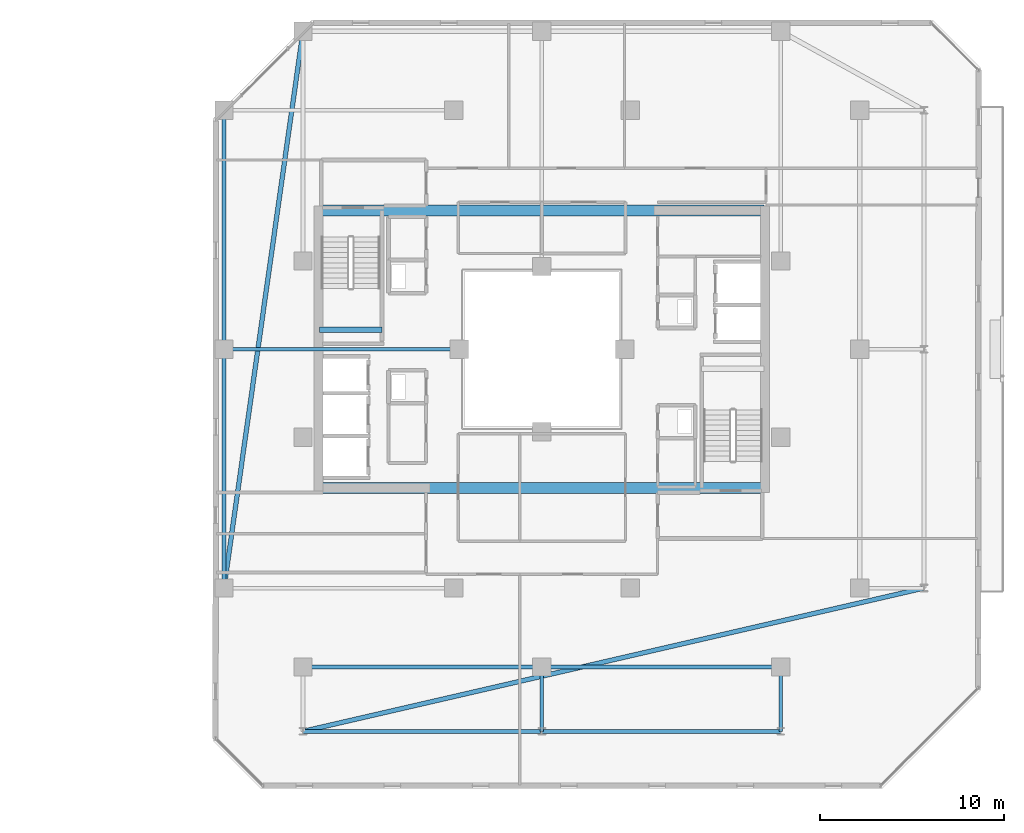
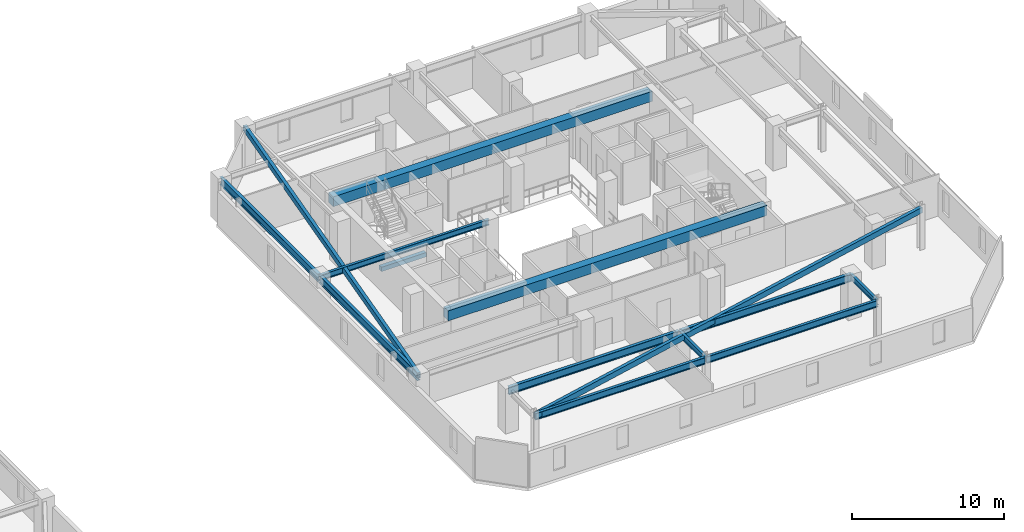
# One storey, part 11 of 32: 14 beams.
"""IFC4 building model written with IfcOpenShell, lengths in metres."""

from ifc_helpers import new_model, si_unit, direction, frame, origin, origin_2d, place, context, subcontext, project, spatial, rectangle, hollow_rectangle, i_section, extrude, material, material_profile, profile_set, type_object, element, save


model = new_model("IFC4")

# Units and contexts
model_context = context("Model", 3, precision=1e-05, world=origin(), true_north=direction((0.0, 1.0)))
body_context = subcontext(model_context, "Body", "Model", "MODEL_VIEW")
ifc_project = project(units=[si_unit("LENGTHUNIT", "METRE"), si_unit("AREAUNIT", "SQUARE_METRE"), si_unit("VOLUMEUNIT", "CUBIC_METRE"), si_unit("PLANEANGLEUNIT", "RADIAN"), si_unit("MASSUNIT", "GRAM", prefix="KILO")], contexts=[model_context])

# Site, building, storey
site_placement = place(None, origin())
site = spatial("IfcSite", under=ifc_project, at=site_placement, CompositionType="ELEMENT")
building_placement = place(site_placement, origin())
building = spatial("IfcBuilding", under=site, at=building_placement, Name="Thornwick Lancets Civic Towers", CompositionType="ELEMENT")
storey_placement = place(building_placement, frame((0.0, 0.0, 240.300048828125)))
storey = spatial("IfcBuildingStorey", under=building, at=storey_placement, Name="L64", CompositionType="ELEMENT", Elevation=240.300048828125)

# Beams
ifc_material_1 = material(Name="Concrete C60/75", Category="concrete")
ifc_material_profile_1 = material_profile(ifc_material_1, rectangle(XDim=0.60009765625, YDim=0.800048828125, at=origin_2d()), Name="RC 600x800")
ifc_profile_set_1 = profile_set([ifc_material_profile_1], Name="Concrete C60/75")
beam_type_1 = type_object("IfcBeamType", Name="BM_COUP_RC800", PredefinedType="BEAM", material=ifc_profile_set_1)
for number, where, z_axis, x_axis, name in (
    (1, (76.39990234375, 34.550048828125, 2.9599609375), (1.0, 0.0, 0.0), (0.0, 1.0, 0.0), "CB-L64-B1"),
    (2, (76.39990234375, 19.449951171875, 2.9599609375), (1.0, 0.0, 0.0), (0.0, 1.0, 0.0), "CB-L64-B2"),
):
    element("IfcBeam", number, at=place(storey_placement, frame(where, z_axis=z_axis, x_axis=x_axis)), inside=storey, type_object=beam_type_1, Name=name, PredefinedType="BEAM", context=body_context, shape_type="SweptSolid", body=[
        extrude(rectangle(XDim=0.60009765625, YDim=0.800048828125, at=origin_2d()), origin(), (0.0, 0.0, 1.0), 24.2001953125),
    ])
ifc_material_2 = material(Name="Steel S355JR", Category="steel")
ifc_material_profile_2 = material_profile(ifc_material_2, i_section(OverallWidth=0.210693359375, OverallDepth=0.53955078125, WebThickness=0.01171875, FlangeThickness=0.018798828125, FilletRadius=0.0126953125, at=origin_2d()), Name="UKB 533x210x109")
ifc_profile_set_2 = profile_set([ifc_material_profile_2], Name="Steel S355JR")
beam_type_2 = type_object("IfcBeamType", Name="BM_EDGE_533_109", PredefinedType="SPANDREL", material=ifc_profile_set_2)
beam_1_placement = place(storey_placement, frame((101.5, 6.199951171875, 3.09033203125), z_axis=(-1.0, 0.0, 0.0), x_axis=(0.0, -1.0, 0.0)))
element("IfcBeam", 3, at=beam_1_placement, inside=storey, type_object=beam_type_2, Name="BM-EDGE-L64-B-S3-1", PredefinedType="SPANDREL", context=body_context, shape_type="SweptSolid", body=[
    extrude(i_section(OverallWidth=0.210693359375, OverallDepth=0.53955078125, WebThickness=0.01171875, FlangeThickness=0.018798828125, FilletRadius=0.0126953125, at=origin_2d()), origin(), (0.0, 0.0, 1.0), 13.0),
])
beam_2_placement = place(storey_placement, frame((88.419921875, 6.199951171875, 3.09033203125), z_axis=(-1.0, 0.0, 0.0), x_axis=(0.0, -1.0, 0.0)))
element("IfcBeam", 4, at=beam_2_placement, inside=storey, type_object=beam_type_2, Name="BM-EDGE-L64-B-S3-2", PredefinedType="SPANDREL", context=body_context, shape_type="SweptSolid", body=[
    extrude(i_section(OverallWidth=0.210693359375, OverallDepth=0.53955078125, WebThickness=0.01171875, FlangeThickness=0.018798828125, FilletRadius=0.0126953125, at=origin_2d()), origin(), (0.0, 0.0, 1.0), 12.919921875),
])
ifc_material_profile_3 = material_profile(ifc_material_2, i_section(OverallWidth=0.230224609375, OverallDepth=0.6171875, WebThickness=0.01318359375, FlangeThickness=0.022216796875, FilletRadius=0.0126953125, at=origin_2d()), Name="UKB 610x229x140")
ifc_profile_set_3 = profile_set([ifc_material_profile_3], Name="Steel S355JR")
beam_type_3 = type_object("IfcBeamType", Name="BM_GIRD_610_140", PredefinedType="BEAM", material=ifc_profile_set_3)
beam_3_placement = place(storey_placement, frame((71.199951171875, 14.0, 3.05126953125), z_axis=(0.0, 1.0, 0.0), x_axis=(-1.0, 0.0, 0.0)))
element("IfcBeam", 5, at=beam_3_placement, inside=storey, type_object=beam_type_3, Name="BM-SPINE-L64-B-6-7", PredefinedType="BEAM", context=body_context, shape_type="SweptSolid", body=[
    extrude(i_section(OverallWidth=0.230224609375, OverallDepth=0.6171875, WebThickness=0.01318359375, FlangeThickness=0.022216796875, FilletRadius=0.0126953125, at=origin_2d()), origin(), (0.0, 0.0, 1.0), 13.0),
])
beam_4_placement = place(storey_placement, frame((71.199951171875, 27.080078125, 3.05126953125), z_axis=(0.0, 1.0, 0.0), x_axis=(-1.0, 0.0, 0.0)))
element("IfcBeam", 6, at=beam_4_placement, inside=storey, type_object=beam_type_3, Name="BM-SPINE-L64-B-7-8", PredefinedType="BEAM", context=body_context, shape_type="SweptSolid", body=[
    extrude(i_section(OverallWidth=0.230224609375, OverallDepth=0.6171875, WebThickness=0.01318359375, FlangeThickness=0.022216796875, FilletRadius=0.0126953125, at=origin_2d()), origin(), (0.0, 0.0, 1.0), 12.919921875),
])
beam_5_placement = place(storey_placement, frame((101.5, 9.699951171875, 3.05126953125), z_axis=(-1.0, 0.0, 0.0), x_axis=(0.0, -1.0, 0.0)))
element("IfcBeam", 7, at=beam_5_placement, inside=storey, type_object=beam_type_3, Name="BM-SPINE-L64-B-9-10", PredefinedType="BEAM", context=body_context, shape_type="SweptSolid", body=[
    extrude(i_section(OverallWidth=0.230224609375, OverallDepth=0.6171875, WebThickness=0.01318359375, FlangeThickness=0.022216796875, FilletRadius=0.0126953125, at=origin_2d()), origin(), (0.0, 0.0, 1.0), 13.0),
])
beam_6_placement = place(storey_placement, frame((88.419921875, 9.699951171875, 3.05126953125), z_axis=(-1.0, 0.0, 0.0), x_axis=(0.0, -1.0, 0.0)))
element("IfcBeam", 8, at=beam_6_placement, inside=storey, type_object=beam_type_3, Name="BM-SPINE-L64-B-10-11", PredefinedType="BEAM", context=body_context, shape_type="SweptSolid", body=[
    extrude(i_section(OverallWidth=0.230224609375, OverallDepth=0.6171875, WebThickness=0.01318359375, FlangeThickness=0.022216796875, FilletRadius=0.0126953125, at=origin_2d()), origin(), (0.0, 0.0, 1.0), 12.919921875),
])
ifc_material_profile_4 = material_profile(ifc_material_2, i_section(OverallWidth=0.19287109375, OverallDepth=0.46728515625, WebThickness=0.011474609375, FlangeThickness=0.01953125, FilletRadius=0.01025390625, at=origin_2d()), Name="UKB 457x191x98")
ifc_profile_set_4 = profile_set([ifc_material_profile_4], Name="Steel S355JR")
beam_type_4 = type_object("IfcBeamType", Name="BM_JOIST_457_98", PredefinedType="JOIST", material=ifc_profile_set_4)
beam_7_placement = place(storey_placement, frame((84.0, 27.0, 3.12646484375), z_axis=(-1.0, 0.0, 0.0), x_axis=(0.0, -1.0, 0.0)))
element("IfcBeam", 9, at=beam_7_placement, inside=storey, type_object=beam_type_4, Name="BM-RADIN-L64-B08", PredefinedType="JOIST", context=body_context, shape_type="SweptSolid", body=[
    extrude(i_section(OverallWidth=0.19287109375, OverallDepth=0.46728515625, WebThickness=0.011474609375, FlangeThickness=0.01953125, FilletRadius=0.01025390625, at=origin_2d()), origin(), (0.0, 0.0, 1.0), 12.800048828125),
])
for number, where, z_axis, x_axis, name in (
    (10, (101.5, 9.699951171875, 3.12646484375), (0.0, -1.0, 0.0), (1.0, 0.0, 0.0), "BM-RAD-L64-B10"),
    (11, (88.5, 9.699951171875, 3.12646484375), (0.0, -1.0, 0.0), (1.0, 0.0, 0.0), "BM-RAD-L64-B11"),
):
    element("IfcBeam", number, at=place(storey_placement, frame(where, z_axis=z_axis, x_axis=x_axis)), inside=storey, type_object=beam_type_4, Name=name, PredefinedType="JOIST", context=body_context, shape_type="SweptSolid", body=[
        extrude(i_section(OverallWidth=0.19287109375, OverallDepth=0.46728515625, WebThickness=0.011474609375, FlangeThickness=0.01953125, FilletRadius=0.01025390625, at=origin_2d()), origin(), (0.0, 0.0, 1.0), 3.5),
    ])
ifc_material_profile_5 = material_profile(ifc_material_2, hollow_rectangle(XDim=0.25, YDim=0.449951171875, WallThickness=0.01611328125, at=origin_2d()), Name="RHS 450x250x16")
ifc_profile_set_5 = profile_set([ifc_material_profile_5], Name="Steel S355JR")
beam_type_5 = type_object("IfcBeamType", Name="BM_RING_RHS450", PredefinedType="BEAM", material=ifc_profile_set_5)
beam_8_placement = place(storey_placement, frame((75.5, 44.300048828125, 3.135009765625), z_axis=(-0.140507712682, -0.990079584012, 0.0), x_axis=(0.990079584012, -0.140507712682, 0.0)))
element("IfcBeam", 12, at=beam_8_placement, inside=storey, type_object=beam_type_5, Name="BM-CHAMF-L64-B-C1", PredefinedType="BEAM", context=body_context, shape_type="SweptSolid", body=[
    extrude(hollow_rectangle(XDim=0.25, YDim=0.449951171875, WallThickness=0.01611328125, at=origin_2d()), origin(), (0.0, 0.0, 1.0), 30.603759765625),
])
beam_9_placement = place(storey_placement, frame((75.5, 6.199951171875, 3.135009765625), z_axis=(0.974390958454, 0.224860534737, 0.0), x_axis=(-0.224860534737, 0.974390958454, 0.0)))
element("IfcBeam", 13, at=beam_9_placement, inside=storey, type_object=beam_type_5, Name="BM-CHAMF-L64-B-C3", PredefinedType="BEAM", context=body_context, shape_type="SweptSolid", body=[
    extrude(hollow_rectangle(XDim=0.25, YDim=0.449951171875, WallThickness=0.01611328125, at=origin_2d()), origin(), (0.0, 0.0, 1.0), 34.6884765625),
])
ifc_material_3 = material(Name="Concrete C40/50", Category="concrete")
ifc_material_profile_6 = material_profile(ifc_material_3, rectangle(XDim=0.300048828125, YDim=0.35009765625, at=origin_2d()), Name="RC 300x350")
ifc_profile_set_6 = profile_set([ifc_material_profile_6], Name="Concrete C40/50")
beam_type_6 = type_object("IfcBeamType", Name="BM_STAIR_LDG", PredefinedType="BEAM", material=ifc_profile_set_6)
beam_10_placement = place(storey_placement, frame((76.39990234375, 28.06494140625, 1.3779296875), z_axis=(1.0, 0.0, 0.0), x_axis=(0.0, 1.0, 0.0)))
element("IfcBeam", 14, at=beam_10_placement, inside=storey, type_object=beam_type_6, Name="L64 ST-B2 Landing Support Beam 1", PredefinedType="BEAM", context=body_context, shape_type="SweptSolid", body=[
    extrude(rectangle(XDim=0.300048828125, YDim=0.35009765625, at=origin_2d()), origin(), (0.0, 0.0, 1.0), 3.400146484375),
])

save(model, "model.ifc")
